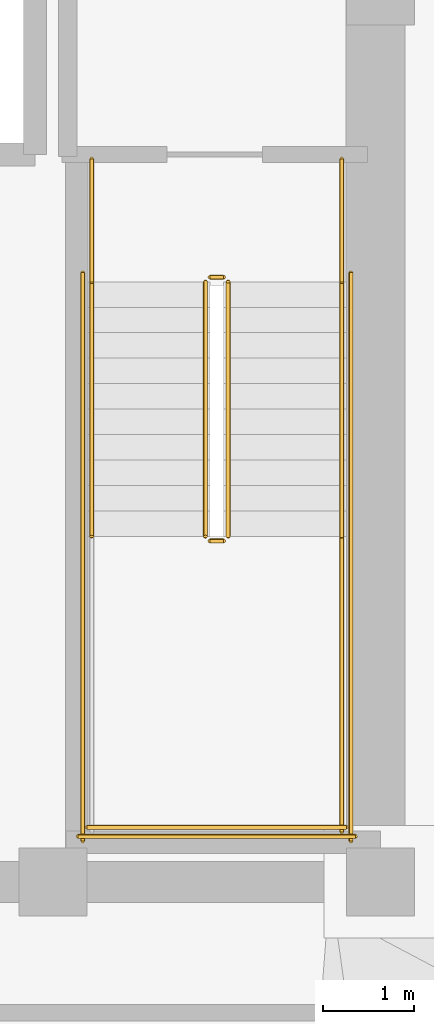
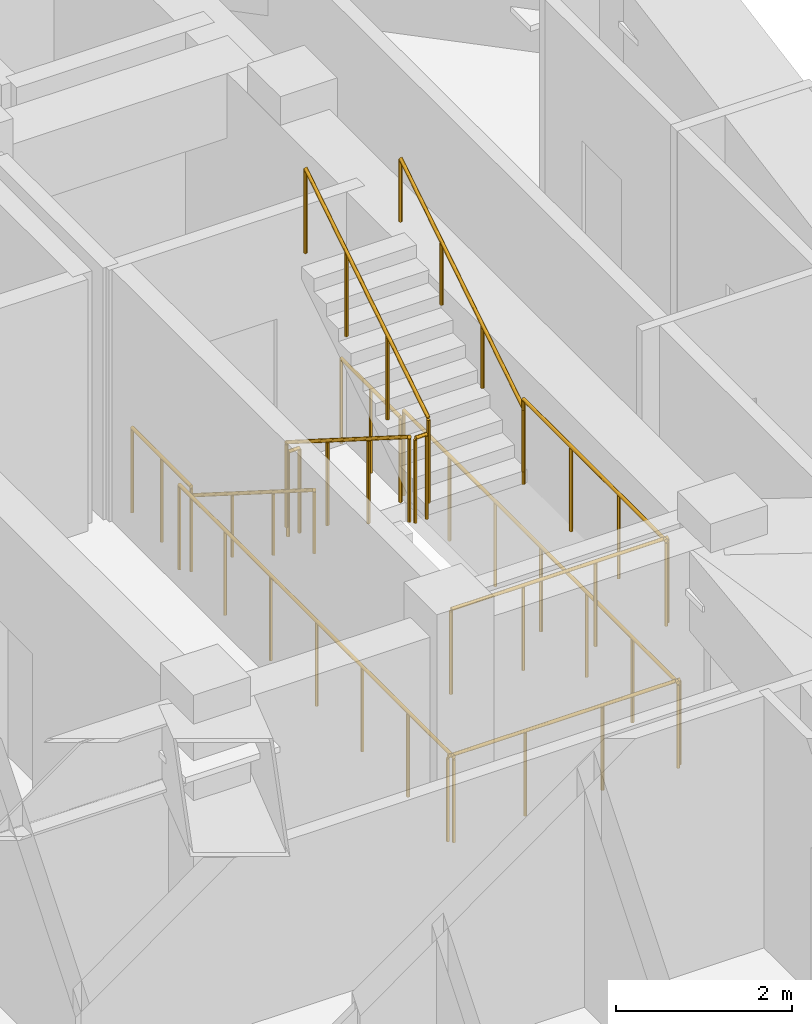
# One storey, part 12 of 12: 13 railings.
"""IFC4 building model written with IfcOpenShell, lengths in metres."""

from ifc_helpers import new_model, si_unit, direction, frame, origin, origin_2d, place, context, subcontext, project, spatial, circle, extrude, material, type_object, element, save


model = new_model("IFC4")

# Units and contexts
model_context = context("Model", 3, precision=1e-05, world=origin(), true_north=direction((0.0, 1.0)))
body_context = subcontext(model_context, "Body", "Model", "MODEL_VIEW")
ifc_project = project(units=[si_unit("LENGTHUNIT", "METRE"), si_unit("AREAUNIT", "SQUARE_METRE"), si_unit("VOLUMEUNIT", "CUBIC_METRE"), si_unit("PLANEANGLEUNIT", "RADIAN"), si_unit("MASSUNIT", "GRAM", prefix="KILO")], contexts=[model_context])

# Site, building, storey
site_placement = place(None, origin())
site = spatial("IfcSite", under=ifc_project, at=site_placement, CompositionType="ELEMENT")
building_placement = place(site_placement, origin())
building = spatial("IfcBuilding", under=site, at=building_placement, Name="Voryun Gate Residences", CompositionType="ELEMENT")
storey_placement = place(building_placement, frame((0.0, 0.0, 306.800048828125)))
storey = spatial("IfcBuildingStorey", under=building, at=storey_placement, Name="L76", CompositionType="ELEMENT", Elevation=306.800048828125)

# Railings
ifc_material_1 = material(Name="Painted steel", Category="steel")
railing_type_1 = type_object("IfcRailingType", Name="RAIL_STAIR_GUARD_1200", PredefinedType="GUARDRAIL", material=ifc_material_1)
railing_1_placement = place(storey_placement, frame((17.27490234375, -0.800048828125, 0.17724609375)))
element("IfcRailing", 1, at=railing_1_placement, inside=storey, type_object=railing_type_1, Name="L76 ST-E1 stair guard 1", PredefinedType="GUARDRAIL", context=body_context, shape_type="SweptSolid", body=[
    extrude(circle(Radius=0.02392578125, at=origin_2d()), frame((0.0, 0.0, 1.17578125), z_axis=(0.0, -0.844908973607, 0.534910110503), x_axis=(1.0, 0.0, 0.0)), (0.0, 0.0, 1.0), 3.31396484375),
    extrude(circle(Radius=0.02099609375, at=origin_2d()), origin(), (0.0, 0.0, 1.0), 1.15185546875),
    extrude(circle(Radius=0.02099609375, at=origin_2d()), frame((0.0, -0.933349609375, 0.5908203125)), (0.0, 0.0, 1.0), 1.15185546875),
    extrude(circle(Radius=0.02099609375, at=origin_2d()), frame((0.0, -1.86669921875, 1.181884765625)), (0.0, 0.0, 1.0), 1.15185546875),
    extrude(circle(Radius=0.02099609375, at=origin_2d()), frame((0.0, -2.800048828125, 1.772705078125)), (0.0, 0.0, 1.0), 1.15185546875),
])
railing_2_placement = place(storey_placement, frame((17.324951171875, -3.64990234375, 1.949951171875)))
element("IfcRailing", 2, at=railing_2_placement, inside=storey, type_object=railing_type_1, Name="L76 ST-E1 stair guard 2", PredefinedType="GUARDRAIL", context=body_context, shape_type="SweptSolid", body=[
    extrude(circle(Radius=0.02392578125, at=origin_2d()), frame((0.0, 0.0, 1.17578125), z_axis=(1.0, 0.0, 0.0), x_axis=(0.0, 1.0, 0.0)), (0.0, 0.0, 1.0), 0.150146484375),
    extrude(circle(Radius=0.02099609375, at=origin_2d()), origin(), (0.0, 0.0, 1.0), 1.15185546875),
    extrude(circle(Radius=0.02099609375, at=origin_2d()), frame((0.150146484375, 0.0, 0.0)), (0.0, 0.0, 1.0), 1.15185546875),
])
railing_3_placement = place(storey_placement, frame((18.77490234375, -3.60009765625, 1.949951171875)))
element("IfcRailing", 3, at=railing_3_placement, inside=storey, type_object=railing_type_1, Name="L76 ST-E1 stair guard 4", PredefinedType="GUARDRAIL", context=body_context, shape_type="SweptSolid", body=[
    extrude(circle(Radius=0.02392578125, at=origin_2d()), frame((0.0, 0.0, 1.17578125), z_axis=(0.0, -1.0, 0.0), x_axis=(1.0, 0.0, 0.0)), (0.0, 0.0, 1.0), 3.25),
    extrude(circle(Radius=0.02099609375, at=origin_2d()), origin(), (0.0, 0.0, 1.0), 1.15185546875),
    extrude(circle(Radius=0.02099609375, at=origin_2d()), frame((0.0, -1.083251953125, 0.0)), (0.0, 0.0, 1.0), 1.15185546875),
    extrude(circle(Radius=0.02099609375, at=origin_2d()), frame((0.0, -2.166748046875, 0.0)), (0.0, 0.0, 1.0), 1.15185546875),
    extrude(circle(Radius=0.02099609375, at=origin_2d()), frame((0.0, -3.25, 0.0)), (0.0, 0.0, 1.0), 1.15185546875),
])
railing_4_placement = place(storey_placement, frame((15.97509765625, -6.800048828125, 1.949951171875)))
element("IfcRailing", 4, at=railing_4_placement, inside=storey, type_object=railing_type_1, Name="L76 ST-E1 stair guard 5", PredefinedType="GUARDRAIL", context=body_context, shape_type="SweptSolid", body=[
    extrude(circle(Radius=0.02392578125, at=origin_2d()), frame((0.0, 0.0, 1.17578125), z_axis=(1.0, 0.0, 0.0), x_axis=(0.0, 1.0, 0.0)), (0.0, 0.0, 1.0), 2.849853515625),
    extrude(circle(Radius=0.02099609375, at=origin_2d()), origin(), (0.0, 0.0, 1.0), 1.15185546875),
    extrude(circle(Radius=0.02099609375, at=origin_2d()), frame((0.949951171875, 0.0, 0.0)), (0.0, 0.0, 1.0), 1.15185546875),
    extrude(circle(Radius=0.02099609375, at=origin_2d()), frame((1.89990234375, 0.0, 0.0)), (0.0, 0.0, 1.0), 1.15185546875),
    extrude(circle(Radius=0.02099609375, at=origin_2d()), frame((2.849853515625, 0.0, 0.0)), (0.0, 0.0, 1.0), 1.15185546875),
])
railing_5_placement = place(storey_placement, frame((17.52490234375, -3.60009765625, 2.127197265625)))
element("IfcRailing", 5, at=railing_5_placement, inside=storey, type_object=railing_type_1, Name="L76 ST-E1 stair guard 6", PredefinedType="GUARDRAIL", context=body_context, shape_type="SweptSolid", body=[
    extrude(circle(Radius=0.02392578125, at=origin_2d()), frame((0.0, 0.0, 1.17578125), z_axis=(0.0, 0.844908973607, 0.534910110503), x_axis=(-1.0, 0.0, 0.0)), (0.0, 0.0, 1.0), 3.31396484375),
    extrude(circle(Radius=0.02099609375, at=origin_2d()), origin(), (0.0, 0.0, 1.0), 1.15185546875),
    extrude(circle(Radius=0.02099609375, at=origin_2d()), frame((0.0, 0.933349609375, 0.5908203125)), (0.0, 0.0, 1.0), 1.15185546875),
    extrude(circle(Radius=0.02099609375, at=origin_2d()), frame((0.0, 1.86669921875, 1.181884765625)), (0.0, 0.0, 1.0), 1.15185546875),
    extrude(circle(Radius=0.02099609375, at=origin_2d()), frame((0.0, 2.800048828125, 1.772705078125)), (0.0, 0.0, 1.0), 1.15185546875),
])
railing_6_placement = place(storey_placement, frame((17.324951171875, -0.75, 0.0)))
element("IfcRailing", 6, at=railing_6_placement, inside=storey, type_object=railing_type_1, Name="L76 ST-E1 stair guard 7", PredefinedType="GUARDRAIL", context=body_context, shape_type="SweptSolid", body=[
    extrude(circle(Radius=0.02392578125, at=origin_2d()), frame((0.0, 0.0, 1.17578125), z_axis=(1.0, 0.0, 0.0), x_axis=(0.0, 1.0, 0.0)), (0.0, 0.0, 1.0), 0.150146484375),
    extrude(circle(Radius=0.02099609375, at=origin_2d()), origin(), (0.0, 0.0, 1.0), 1.15185546875),
    extrude(circle(Radius=0.02099609375, at=origin_2d()), frame((0.150146484375, 0.0, 0.0)), (0.0, 0.0, 1.0), 1.15185546875),
])
for number, where, name in (
    (7, (16.02490234375, 0.550048828125, 0.0), "L76 ST-E1 stair guard 8"),
    (8, (18.77490234375, 0.550048828125, 0.0), "L76 ST-E1 stair guard 9"),
):
    element("IfcRailing", number, at=place(storey_placement, frame(where)), inside=storey, type_object=railing_type_1, Name=name, PredefinedType="GUARDRAIL", context=body_context, shape_type="SweptSolid", body=[
        extrude(circle(Radius=0.02392578125, at=origin_2d()), frame((0.0, 0.0, 1.17578125), z_axis=(0.0, -1.0, 0.0), x_axis=(1.0, 0.0, 0.0)), (0.0, 0.0, 1.0), 1.35009765625),
        extrude(circle(Radius=0.02099609375, at=origin_2d()), origin(), (0.0, 0.0, 1.0), 1.15185546875),
        extrude(circle(Radius=0.02099609375, at=origin_2d()), frame((0.0, -0.675048828125, 0.0)), (0.0, 0.0, 1.0), 1.15185546875),
        extrude(circle(Radius=0.02099609375, at=origin_2d()), frame((0.0, -1.35009765625, 0.0)), (0.0, 0.0, 1.0), 1.15185546875),
    ])
for number, where, name in (
    (9, (15.925048828125, -0.699951171875, 0.0), "L76 ST-E1 stair guard 10"),
    (10, (18.875, -0.699951171875, 0.0), "L76 ST-E1 stair guard 11"),
):
    element("IfcRailing", number, at=place(storey_placement, frame(where)), inside=storey, type_object=railing_type_1, Name=name, PredefinedType="GUARDRAIL", context=body_context, shape_type="SweptSolid", body=[
        extrude(circle(Radius=0.02392578125, at=origin_2d()), frame((0.0, 0.0, 1.17578125), z_axis=(0.0, -1.0, 0.0), x_axis=(1.0, 0.0, 0.0)), (0.0, 0.0, 1.0), 6.25),
        extrude(circle(Radius=0.02099609375, at=origin_2d()), origin(), (0.0, 0.0, 1.0), 1.15185546875),
        extrude(circle(Radius=0.02099609375, at=origin_2d()), frame((0.0, -1.041748046875, 0.0)), (0.0, 0.0, 1.0), 1.15185546875),
        extrude(circle(Radius=0.02099609375, at=origin_2d()), frame((0.0, -2.083251953125, 0.0)), (0.0, 0.0, 1.0), 1.15185546875),
        extrude(circle(Radius=0.02099609375, at=origin_2d()), frame((0.0, -3.125, 0.0)), (0.0, 0.0, 1.0), 1.15185546875),
        extrude(circle(Radius=0.02099609375, at=origin_2d()), frame((0.0, -4.166748046875, 0.0)), (0.0, 0.0, 1.0), 1.15185546875),
        extrude(circle(Radius=0.02099609375, at=origin_2d()), frame((0.0, -5.208251953125, 0.0)), (0.0, 0.0, 1.0), 1.15185546875),
        extrude(circle(Radius=0.02099609375, at=origin_2d()), frame((0.0, -6.25, 0.0)), (0.0, 0.0, 1.0), 1.15185546875),
    ])
railing_7_placement = place(storey_placement, frame((15.875, -6.89990234375, 0.0)))
element("IfcRailing", 11, at=railing_7_placement, inside=storey, type_object=railing_type_1, Name="L76 ST-E1 stair guard 12", PredefinedType="GUARDRAIL", context=body_context, shape_type="SweptSolid", body=[
    extrude(circle(Radius=0.02392578125, at=origin_2d()), frame((0.0, 0.0, 1.17578125), z_axis=(1.0, 0.0, 0.0), x_axis=(0.0, 1.0, 0.0)), (0.0, 0.0, 1.0), 3.050048828125),
    extrude(circle(Radius=0.02099609375, at=origin_2d()), origin(), (0.0, 0.0, 1.0), 1.15185546875),
    extrude(circle(Radius=0.02099609375, at=origin_2d()), frame((1.0166015625, 0.0, 0.0)), (0.0, 0.0, 1.0), 1.15185546875),
    extrude(circle(Radius=0.02099609375, at=origin_2d()), frame((2.033447265625, 0.0, 0.0)), (0.0, 0.0, 1.0), 1.15185546875),
    extrude(circle(Radius=0.02099609375, at=origin_2d()), frame((3.050048828125, 0.0, 0.0)), (0.0, 0.0, 1.0), 1.15185546875),
])
ifc_material_2 = material(Name="Painted steel", Category="steel")
railing_type_2 = type_object("IfcRailingType", Name="RAIL_STAIR_HANDRAIL_900", PredefinedType="HANDRAIL", material=ifc_material_2)
railing_8_placement = place(storey_placement, frame((16.02490234375, -0.800048828125, 0.17724609375)))
element("IfcRailing", 12, at=railing_8_placement, inside=storey, type_object=railing_type_2, Name="L76 ST-E1 stair handrail 1", PredefinedType="HANDRAIL", context=body_context, shape_type="SweptSolid", body=[
    extrude(circle(Radius=0.02392578125, at=origin_2d()), frame((0.0, 0.0, 0.8759765625), z_axis=(0.0, -0.844908973607, 0.534910110503), x_axis=(1.0, 0.0, 0.0)), (0.0, 0.0, 1.0), 3.31396484375),
    extrude(circle(Radius=0.02099609375, at=origin_2d()), origin(), (0.0, 0.0, 1.0), 0.851806640625),
    extrude(circle(Radius=0.02099609375, at=origin_2d()), frame((0.0, -0.933349609375, 0.5908203125)), (0.0, 0.0, 1.0), 0.851806640625),
    extrude(circle(Radius=0.02099609375, at=origin_2d()), frame((0.0, -1.86669921875, 1.181884765625)), (0.0, 0.0, 1.0), 0.851806640625),
    extrude(circle(Radius=0.02099609375, at=origin_2d()), frame((0.0, -2.800048828125, 1.772705078125)), (0.0, 0.0, 1.0), 0.851806640625),
])
railing_9_placement = place(storey_placement, frame((18.77490234375, -3.60009765625, 2.127197265625)))
element("IfcRailing", 13, at=railing_9_placement, inside=storey, type_object=railing_type_2, Name="L76 ST-E1 stair handrail 2", PredefinedType="HANDRAIL", context=body_context, shape_type="SweptSolid", body=[
    extrude(circle(Radius=0.02392578125, at=origin_2d()), frame((0.0, 0.0, 0.8759765625), z_axis=(0.0, 0.844908973607, 0.534910110503), x_axis=(-1.0, 0.0, 0.0)), (0.0, 0.0, 1.0), 3.31396484375),
    extrude(circle(Radius=0.02099609375, at=origin_2d()), origin(), (0.0, 0.0, 1.0), 0.851806640625),
    extrude(circle(Radius=0.02099609375, at=origin_2d()), frame((0.0, 0.933349609375, 0.5908203125)), (0.0, 0.0, 1.0), 0.851806640625),
    extrude(circle(Radius=0.02099609375, at=origin_2d()), frame((0.0, 1.86669921875, 1.181884765625)), (0.0, 0.0, 1.0), 0.851806640625),
    extrude(circle(Radius=0.02099609375, at=origin_2d()), frame((0.0, 2.800048828125, 1.772705078125)), (0.0, 0.0, 1.0), 0.851806640625),
])

save(model, "model.ifc")
